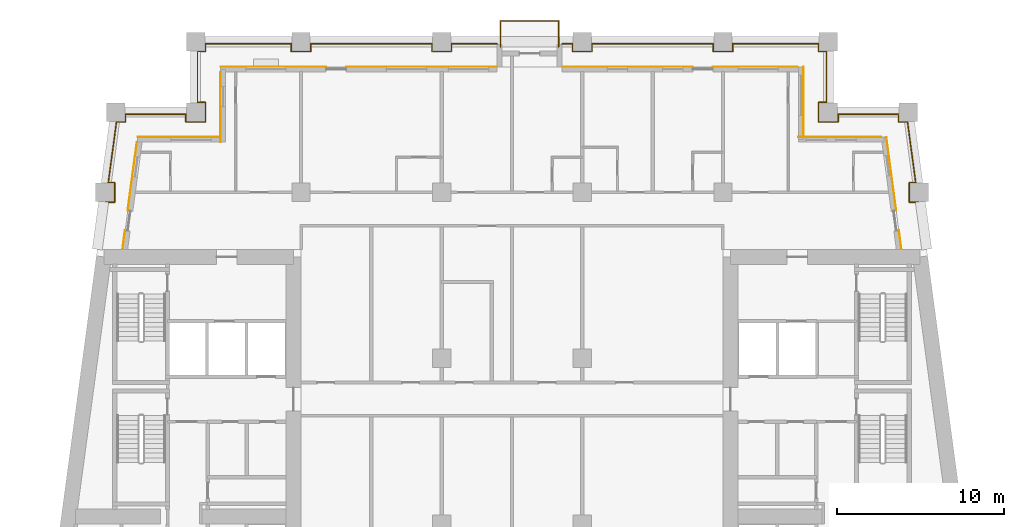
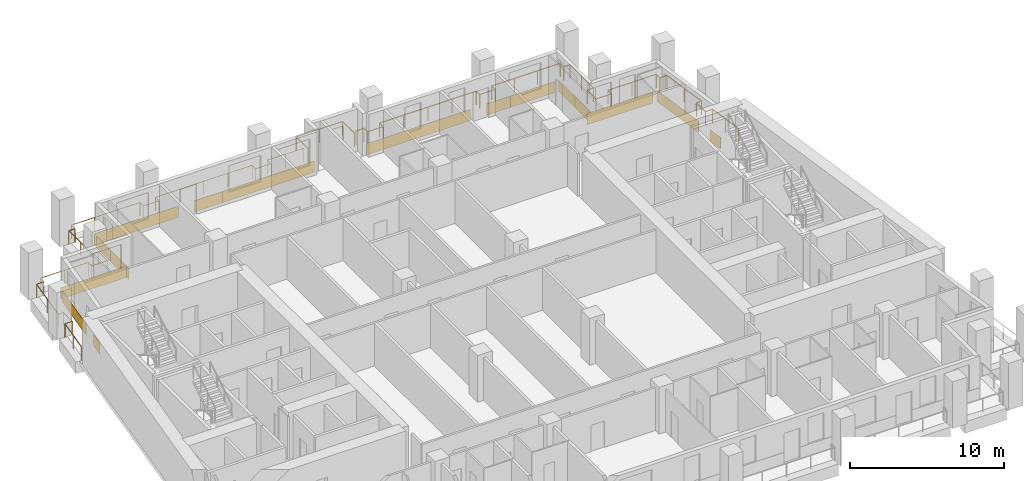
# One storey, part 13 of 14: 16 coverings, 3 railings.
"""IFC4 building model written with IfcOpenShell, lengths in metres."""

from ifc_helpers import new_model, si_unit, direction, frame, origin, origin_2d, place, context, subcontext, project, spatial, rectangle, circle, extrude, material, layer, layer_set, type_object, element, save


model = new_model("IFC4")

# Units and contexts
model_context = context("Model", 3, precision=1e-05, world=origin(), true_north=direction((0.0, 1.0)))
body_context = subcontext(model_context, "Body", "Model", "MODEL_VIEW")
ifc_project = project(units=[si_unit("LENGTHUNIT", "METRE"), si_unit("AREAUNIT", "SQUARE_METRE"), si_unit("VOLUMEUNIT", "CUBIC_METRE"), si_unit("PLANEANGLEUNIT", "RADIAN"), si_unit("MASSUNIT", "GRAM", prefix="KILO")], contexts=[model_context])

# Site, building, storey
site_placement = place(None, origin())
site = spatial("IfcSite", under=ifc_project, at=site_placement, CompositionType="ELEMENT")
building_placement = place(site_placement, origin())
building = spatial("IfcBuilding", under=site, at=building_placement, Name="Candeia Pilgrim Tower and Theatre", CompositionType="ELEMENT")
storey_placement = place(building_placement, frame((0.0, 0.0, 173.699951171875)))
storey = spatial("IfcBuildingStorey", under=building, at=storey_placement, Name="L41", CompositionType="ELEMENT", Elevation=173.699951171875)

# Railings
ifc_material_1 = material(Name="Stainless steel balustrade", Category="steel")
railing_type = type_object("IfcRailingType", Name="G1 loggia guard 1100", PredefinedType="GUARDRAIL", material=ifc_material_1)
railing_1_placement = place(storey_placement, frame((88.758544921875, 132.449951171875, 0.0)))
element("IfcRailing", 1, at=railing_1_placement, inside=storey, type_object=railing_type, Name="Guard L41.2", PredefinedType="GUARDRAIL", context=body_context, shape_type="SweptSolid", body=[
    extrude(circle(Radius=0.02392578125, at=origin_2d()), frame((0.0, 0.0, 1.076171875), z_axis=(0.133382313969, 0.991064659001, 0.0), x_axis=(-0.991064659001, 0.133382313969, 0.0)), (0.0, 0.0, 1.0), 2.794921875),
    extrude(circle(Radius=0.02392578125, at=origin_2d()), frame((0.372802734375, 2.77001953125, 1.076171875), z_axis=(1.0, 0.0, 0.0), x_axis=(0.0, 1.0, 0.0)), (0.0, 0.0, 1.0), 0.537109375),
    extrude(circle(Radius=0.02392578125, at=origin_2d()), frame((0.909912109375, 2.77001953125, 1.076171875), z_axis=(0.0, 1.0, 0.0), x_axis=(-1.0, 0.0, 0.0)), (0.0, 0.0, 1.0), 1.159912109375),
    extrude(circle(Radius=0.02392578125, at=origin_2d()), frame((0.909912109375, 3.929931640625, 1.076171875), z_axis=(-1.0, 0.0, 0.0), x_axis=(0.0, -1.0, 0.0)), (0.0, 0.0, 1.0), 0.380859375),
    extrude(circle(Radius=0.02392578125, at=origin_2d()), frame((0.529052734375, 3.929931640625, 1.076171875), z_axis=(0.133404479078, 0.99106167566, 0.0), x_axis=(-0.99106167566, 0.133404479078, 0.0)), (0.0, 0.0, 1.0), 3.6728515625),
    extrude(circle(Radius=0.02392578125, at=origin_2d()), frame((1.01904296875, 7.570068359375, 1.076171875), z_axis=(1.0, 0.0, 0.0), x_axis=(0.0, 1.0, 0.0)), (0.0, 0.0, 1.0), 0.537109375),
    extrude(circle(Radius=0.02392578125, at=origin_2d()), frame((1.55615234375, 7.570068359375, 1.076171875), z_axis=(0.0, 1.0, 0.0), x_axis=(-1.0, 0.0, 0.0)), (0.0, 0.0, 1.0), 0.4599609375),
    extrude(circle(Radius=0.02392578125, at=origin_2d()), frame((1.55615234375, 8.030029296875, 1.076171875), z_axis=(1.0, 0.0, 0.0), x_axis=(0.0, 1.0, 0.0)), (0.0, 0.0, 1.0), 3.605224609375),
    extrude(circle(Radius=0.02392578125, at=origin_2d()), frame((5.161376953125, 8.030029296875, 1.076171875), z_axis=(0.0, -1.0, 0.0), x_axis=(1.0, 0.0, 0.0)), (0.0, 0.0, 1.0), 0.4599609375),
    extrude(circle(Radius=0.02392578125, at=origin_2d()), frame((5.161376953125, 7.570068359375, 1.076171875), z_axis=(1.0, 0.0, 0.0), x_axis=(0.0, 1.0, 0.0)), (0.0, 0.0, 1.0), 1.16015625),
    extrude(circle(Radius=0.02392578125, at=origin_2d()), frame((6.321533203125, 7.570068359375, 1.076171875), z_axis=(0.0, 1.0, 0.0), x_axis=(-1.0, 0.0, 0.0)), (0.0, 0.0, 1.0), 1.159912109375),
    extrude(circle(Radius=0.02392578125, at=origin_2d()), frame((6.321533203125, 8.72998046875, 1.076171875), z_axis=(-1.0, 0.0, 0.0), x_axis=(0.0, -1.0, 0.0)), (0.0, 0.0, 1.0), 0.4599609375),
    extrude(circle(Radius=0.02392578125, at=origin_2d()), frame((5.861572265625, 8.72998046875, 1.076171875), z_axis=(0.0, 1.0, 0.0), x_axis=(-1.0, 0.0, 0.0)), (0.0, 0.0, 1.0), 3.0400390625),
    extrude(circle(Radius=0.02392578125, at=origin_2d()), frame((5.861572265625, 11.77001953125, 1.076171875), z_axis=(1.0, 0.0, 0.0), x_axis=(0.0, 1.0, 0.0)), (0.0, 0.0, 1.0), 0.4599609375),
    extrude(circle(Radius=0.02392578125, at=origin_2d()), frame((6.321533203125, 11.77001953125, 1.076171875), z_axis=(0.0, 1.0, 0.0), x_axis=(-1.0, 0.0, 0.0)), (0.0, 0.0, 1.0), 0.4599609375),
    extrude(circle(Radius=0.02392578125, at=origin_2d()), frame((6.321533203125, 12.22998046875, 1.076171875), z_axis=(1.0, 0.0, 0.0), x_axis=(0.0, 1.0, 0.0)), (0.0, 0.0, 1.0), 5.139892578125),
    extrude(circle(Radius=0.02392578125, at=origin_2d()), frame((11.46142578125, 12.22998046875, 1.076171875), z_axis=(0.0, -1.0, 0.0), x_axis=(1.0, 0.0, 0.0)), (0.0, 0.0, 1.0), 0.4599609375),
    extrude(circle(Radius=0.02392578125, at=origin_2d()), frame((11.46142578125, 11.77001953125, 1.076171875), z_axis=(1.0, 0.0, 0.0), x_axis=(0.0, 1.0, 0.0)), (0.0, 0.0, 1.0), 1.159912109375),
    extrude(circle(Radius=0.02392578125, at=origin_2d()), frame((12.621337890625, 11.77001953125, 1.076171875), z_axis=(0.0, 1.0, 0.0), x_axis=(-1.0, 0.0, 0.0)), (0.0, 0.0, 1.0), 0.4599609375),
    extrude(circle(Radius=0.02392578125, at=origin_2d()), frame((12.621337890625, 12.22998046875, 1.076171875), z_axis=(1.0, 0.0, 0.0), x_axis=(0.0, 1.0, 0.0)), (0.0, 0.0, 1.0), 7.240234375),
    extrude(circle(Radius=0.02392578125, at=origin_2d()), frame((19.861572265625, 12.22998046875, 1.076171875), z_axis=(0.0, -1.0, 0.0), x_axis=(1.0, 0.0, 0.0)), (0.0, 0.0, 1.0), 0.4599609375),
    extrude(circle(Radius=0.02392578125, at=origin_2d()), frame((19.861572265625, 11.77001953125, 1.076171875), z_axis=(1.0, 0.0, 0.0), x_axis=(0.0, 1.0, 0.0)), (0.0, 0.0, 1.0), 1.159912109375),
    extrude(circle(Radius=0.02392578125, at=origin_2d()), frame((21.021484375, 11.77001953125, 1.076171875), z_axis=(0.0, 1.0, 0.0), x_axis=(-1.0, 0.0, 0.0)), (0.0, 0.0, 1.0), 0.4599609375),
    extrude(circle(Radius=0.02392578125, at=origin_2d()), frame((21.021484375, 12.22998046875, 1.076171875), z_axis=(1.0, 0.0, 0.0), x_axis=(0.0, 1.0, 0.0)), (0.0, 0.0, 1.0), 2.719970703125),
    extrude(circle(Radius=0.02099609375, at=origin_2d()), origin(), (0.0, 0.0, 1.0), 1.052001953125),
    extrude(circle(Radius=0.02099609375, at=origin_2d()), frame((0.1865234375, 1.385009765625, 0.0)), (0.0, 0.0, 1.0), 1.052001953125),
    extrude(circle(Radius=0.02099609375, at=origin_2d()), frame((0.372802734375, 2.77001953125, 0.0)), (0.0, 0.0, 1.0), 1.052001953125),
    extrude(circle(Radius=0.02099609375, at=origin_2d()), frame((0.909912109375, 2.77001953125, 0.0)), (0.0, 0.0, 1.0), 1.052001953125),
    extrude(circle(Radius=0.02099609375, at=origin_2d()), frame((0.909912109375, 3.929931640625, 0.0)), (0.0, 0.0, 1.0), 1.052001953125),
    extrude(circle(Radius=0.02099609375, at=origin_2d()), frame((0.529052734375, 3.929931640625, 0.0)), (0.0, 0.0, 1.0), 1.052001953125),
    extrude(circle(Radius=0.02099609375, at=origin_2d()), frame((0.77392578125, 5.75, 0.0)), (0.0, 0.0, 1.0), 1.052001953125),
    extrude(circle(Radius=0.02099609375, at=origin_2d()), frame((1.01904296875, 7.570068359375, 0.0)), (0.0, 0.0, 1.0), 1.052001953125),
    extrude(circle(Radius=0.02099609375, at=origin_2d()), frame((1.55615234375, 7.570068359375, 0.0)), (0.0, 0.0, 1.0), 1.052001953125),
    extrude(circle(Radius=0.02099609375, at=origin_2d()), frame((1.55615234375, 8.030029296875, 0.0)), (0.0, 0.0, 1.0), 1.052001953125),
    extrude(circle(Radius=0.02099609375, at=origin_2d()), frame((3.35888671875, 8.030029296875, 0.0)), (0.0, 0.0, 1.0), 1.052001953125),
    extrude(circle(Radius=0.02099609375, at=origin_2d()), frame((5.161376953125, 8.030029296875, 0.0)), (0.0, 0.0, 1.0), 1.052001953125),
    extrude(circle(Radius=0.02099609375, at=origin_2d()), frame((5.161376953125, 7.570068359375, 0.0)), (0.0, 0.0, 1.0), 1.052001953125),
    extrude(circle(Radius=0.02099609375, at=origin_2d()), frame((6.321533203125, 7.570068359375, 0.0)), (0.0, 0.0, 1.0), 1.052001953125),
    extrude(circle(Radius=0.02099609375, at=origin_2d()), frame((6.321533203125, 8.72998046875, 0.0)), (0.0, 0.0, 1.0), 1.052001953125),
    extrude(circle(Radius=0.02099609375, at=origin_2d()), frame((5.861572265625, 8.72998046875, 0.0)), (0.0, 0.0, 1.0), 1.052001953125),
    extrude(circle(Radius=0.02099609375, at=origin_2d()), frame((5.861572265625, 10.25, 0.0)), (0.0, 0.0, 1.0), 1.052001953125),
    extrude(circle(Radius=0.02099609375, at=origin_2d()), frame((5.861572265625, 11.77001953125, 0.0)), (0.0, 0.0, 1.0), 1.052001953125),
    extrude(circle(Radius=0.02099609375, at=origin_2d()), frame((6.321533203125, 11.77001953125, 0.0)), (0.0, 0.0, 1.0), 1.052001953125),
    extrude(circle(Radius=0.02099609375, at=origin_2d()), frame((6.321533203125, 12.22998046875, 0.0)), (0.0, 0.0, 1.0), 1.052001953125),
    extrude(circle(Radius=0.02099609375, at=origin_2d()), frame((8.034912109375, 12.22998046875, 0.0)), (0.0, 0.0, 1.0), 1.052001953125),
    extrude(circle(Radius=0.02099609375, at=origin_2d()), frame((9.748046875, 12.22998046875, 0.0)), (0.0, 0.0, 1.0), 1.052001953125),
    extrude(circle(Radius=0.02099609375, at=origin_2d()), frame((11.46142578125, 12.22998046875, 0.0)), (0.0, 0.0, 1.0), 1.052001953125),
    extrude(circle(Radius=0.02099609375, at=origin_2d()), frame((11.46142578125, 11.77001953125, 0.0)), (0.0, 0.0, 1.0), 1.052001953125),
    extrude(circle(Radius=0.02099609375, at=origin_2d()), frame((12.621337890625, 11.77001953125, 0.0)), (0.0, 0.0, 1.0), 1.052001953125),
    extrude(circle(Radius=0.02099609375, at=origin_2d()), frame((12.621337890625, 12.22998046875, 0.0)), (0.0, 0.0, 1.0), 1.052001953125),
    extrude(circle(Radius=0.02099609375, at=origin_2d()), frame((14.431396484375, 12.22998046875, 0.0)), (0.0, 0.0, 1.0), 1.052001953125),
    extrude(circle(Radius=0.02099609375, at=origin_2d()), frame((16.241455078125, 12.22998046875, 0.0)), (0.0, 0.0, 1.0), 1.052001953125),
    extrude(circle(Radius=0.02099609375, at=origin_2d()), frame((18.051513671875, 12.22998046875, 0.0)), (0.0, 0.0, 1.0), 1.052001953125),
    extrude(circle(Radius=0.02099609375, at=origin_2d()), frame((19.861572265625, 12.22998046875, 0.0)), (0.0, 0.0, 1.0), 1.052001953125),
    extrude(circle(Radius=0.02099609375, at=origin_2d()), frame((19.861572265625, 11.77001953125, 0.0)), (0.0, 0.0, 1.0), 1.052001953125),
    extrude(circle(Radius=0.02099609375, at=origin_2d()), frame((21.021484375, 11.77001953125, 0.0)), (0.0, 0.0, 1.0), 1.052001953125),
    extrude(circle(Radius=0.02099609375, at=origin_2d()), frame((21.021484375, 12.22998046875, 0.0)), (0.0, 0.0, 1.0), 1.052001953125),
    extrude(circle(Radius=0.02099609375, at=origin_2d()), frame((22.38134765625, 12.22998046875, 0.0)), (0.0, 0.0, 1.0), 1.052001953125),
    extrude(circle(Radius=0.02099609375, at=origin_2d()), frame((23.741455078125, 12.22998046875, 0.0)), (0.0, 0.0, 1.0), 1.052001953125),
])
railing_2_placement = place(storey_placement, frame((116.39990234375, 144.679931640625, 0.0)))
element("IfcRailing", 2, at=railing_2_placement, inside=storey, type_object=railing_type, Name="Guard L41.3", PredefinedType="GUARDRAIL", context=body_context, shape_type="SweptSolid", body=[
    extrude(circle(Radius=0.02392578125, at=origin_2d()), frame((0.0, 0.0, 1.076171875), z_axis=(1.0, 0.0, 0.0), x_axis=(0.0, 1.0, 0.0)), (0.0, 0.0, 1.0), 0.6201171875),
    extrude(circle(Radius=0.02392578125, at=origin_2d()), frame((0.6201171875, 0.0, 1.076171875), z_axis=(0.0, -1.0, 0.0), x_axis=(1.0, 0.0, 0.0)), (0.0, 0.0, 1.0), 0.4599609375),
    extrude(circle(Radius=0.02392578125, at=origin_2d()), frame((0.6201171875, -0.4599609375, 1.076171875), z_axis=(1.0, 0.0, 0.0), x_axis=(0.0, 1.0, 0.0)), (0.0, 0.0, 1.0), 1.159912109375),
    extrude(circle(Radius=0.02392578125, at=origin_2d()), frame((1.780029296875, -0.4599609375, 1.076171875), z_axis=(0.0, 1.0, 0.0), x_axis=(-1.0, 0.0, 0.0)), (0.0, 0.0, 1.0), 0.4599609375),
    extrude(circle(Radius=0.02392578125, at=origin_2d()), frame((1.780029296875, 0.0, 1.076171875), z_axis=(1.0, 0.0, 0.0), x_axis=(0.0, 1.0, 0.0)), (0.0, 0.0, 1.0), 7.239990234375),
    extrude(circle(Radius=0.02392578125, at=origin_2d()), frame((9.02001953125, 0.0, 1.076171875), z_axis=(0.0, -1.0, 0.0), x_axis=(1.0, 0.0, 0.0)), (0.0, 0.0, 1.0), 0.4599609375),
    extrude(circle(Radius=0.02392578125, at=origin_2d()), frame((9.02001953125, -0.4599609375, 1.076171875), z_axis=(1.0, 0.0, 0.0), x_axis=(0.0, 1.0, 0.0)), (0.0, 0.0, 1.0), 1.16015625),
    extrude(circle(Radius=0.02392578125, at=origin_2d()), frame((10.18017578125, -0.4599609375, 1.076171875), z_axis=(0.0, 1.0, 0.0), x_axis=(-1.0, 0.0, 0.0)), (0.0, 0.0, 1.0), 0.4599609375),
    extrude(circle(Radius=0.02392578125, at=origin_2d()), frame((10.18017578125, 0.0, 1.076171875), z_axis=(1.0, 0.0, 0.0), x_axis=(0.0, 1.0, 0.0)), (0.0, 0.0, 1.0), 5.139892578125),
    extrude(circle(Radius=0.02392578125, at=origin_2d()), frame((15.320068359375, 0.0, 1.076171875), z_axis=(0.0, -1.0, 0.0), x_axis=(1.0, 0.0, 0.0)), (0.0, 0.0, 1.0), 0.4599609375),
    extrude(circle(Radius=0.02392578125, at=origin_2d()), frame((15.320068359375, -0.4599609375, 1.076171875), z_axis=(1.0, 0.0, 0.0), x_axis=(0.0, 1.0, 0.0)), (0.0, 0.0, 1.0), 0.4599609375),
    extrude(circle(Radius=0.02392578125, at=origin_2d()), frame((15.780029296875, -0.4599609375, 1.076171875), z_axis=(0.0, -1.0, 0.0), x_axis=(1.0, 0.0, 0.0)), (0.0, 0.0, 1.0), 3.0400390625),
    extrude(circle(Radius=0.02392578125, at=origin_2d()), frame((15.780029296875, -3.5, 1.076171875), z_axis=(-1.0, 0.0, 0.0), x_axis=(0.0, -1.0, 0.0)), (0.0, 0.0, 1.0), 0.4599609375),
    extrude(circle(Radius=0.02392578125, at=origin_2d()), frame((15.320068359375, -3.5, 1.076171875), z_axis=(0.0, -1.0, 0.0), x_axis=(1.0, 0.0, 0.0)), (0.0, 0.0, 1.0), 1.159912109375),
    extrude(circle(Radius=0.02392578125, at=origin_2d()), frame((15.320068359375, -4.659912109375, 1.076171875), z_axis=(1.0, 0.0, 0.0), x_axis=(0.0, 1.0, 0.0)), (0.0, 0.0, 1.0), 1.159912109375),
    extrude(circle(Radius=0.02392578125, at=origin_2d()), frame((16.47998046875, -4.659912109375, 1.076171875), z_axis=(0.0, 1.0, 0.0), x_axis=(-1.0, 0.0, 0.0)), (0.0, 0.0, 1.0), 0.4599609375),
    extrude(circle(Radius=0.02392578125, at=origin_2d()), frame((16.47998046875, -4.199951171875, 1.076171875), z_axis=(1.0, 0.0, 0.0), x_axis=(0.0, 1.0, 0.0)), (0.0, 0.0, 1.0), 3.60546875),
    extrude(circle(Radius=0.02392578125, at=origin_2d()), frame((20.08544921875, -4.199951171875, 1.076171875), z_axis=(0.0, -1.0, 0.0), x_axis=(1.0, 0.0, 0.0)), (0.0, 0.0, 1.0), 0.4599609375),
    extrude(circle(Radius=0.02392578125, at=origin_2d()), frame((20.08544921875, -4.659912109375, 1.076171875), z_axis=(1.0, 0.0, 0.0), x_axis=(0.0, 1.0, 0.0)), (0.0, 0.0, 1.0), 0.537109375),
    extrude(circle(Radius=0.02392578125, at=origin_2d()), frame((20.62255859375, -4.659912109375, 1.076171875), z_axis=(0.133404479078, -0.99106167566, 0.0), x_axis=(0.99106167566, 0.133404479078, 0.0)), (0.0, 0.0, 1.0), 3.6728515625),
    extrude(circle(Radius=0.02392578125, at=origin_2d()), frame((21.112548828125, -8.300048828125, 1.076171875), z_axis=(-1.0, 0.0, 0.0), x_axis=(0.0, -1.0, 0.0)), (0.0, 0.0, 1.0), 0.380859375),
    extrude(circle(Radius=0.02392578125, at=origin_2d()), frame((20.731689453125, -8.300048828125, 1.076171875), z_axis=(0.0, -1.0, 0.0), x_axis=(1.0, 0.0, 0.0)), (0.0, 0.0, 1.0), 1.159912109375),
    extrude(circle(Radius=0.02392578125, at=origin_2d()), frame((20.731689453125, -9.4599609375, 1.076171875), z_axis=(1.0, 0.0, 0.0), x_axis=(0.0, 1.0, 0.0)), (0.0, 0.0, 1.0), 0.536865234375),
    extrude(circle(Radius=0.02392578125, at=origin_2d()), frame((21.2685546875, -9.4599609375, 1.076171875), z_axis=(0.133468107709, -0.99105310868, 0.0), x_axis=(0.99105310868, 0.133468107709, 0.0)), (0.0, 0.0, 1.0), 2.794921875),
    extrude(circle(Radius=0.02099609375, at=origin_2d()), origin(), (0.0, 0.0, 1.0), 1.052001953125),
    extrude(circle(Radius=0.02099609375, at=origin_2d()), frame((0.6201171875, 0.0, 0.0)), (0.0, 0.0, 1.0), 1.052001953125),
    extrude(circle(Radius=0.02099609375, at=origin_2d()), frame((0.6201171875, -0.4599609375, 0.0)), (0.0, 0.0, 1.0), 1.052001953125),
    extrude(circle(Radius=0.02099609375, at=origin_2d()), frame((1.780029296875, -0.4599609375, 0.0)), (0.0, 0.0, 1.0), 1.052001953125),
    extrude(circle(Radius=0.02099609375, at=origin_2d()), frame((1.780029296875, 0.0, 0.0)), (0.0, 0.0, 1.0), 1.052001953125),
    extrude(circle(Radius=0.02099609375, at=origin_2d()), frame((3.590087890625, 0.0, 0.0)), (0.0, 0.0, 1.0), 1.052001953125),
    extrude(circle(Radius=0.02099609375, at=origin_2d()), frame((5.39990234375, 0.0, 0.0)), (0.0, 0.0, 1.0), 1.052001953125),
    extrude(circle(Radius=0.02099609375, at=origin_2d()), frame((7.2099609375, 0.0, 0.0)), (0.0, 0.0, 1.0), 1.052001953125),
    extrude(circle(Radius=0.02099609375, at=origin_2d()), frame((9.02001953125, 0.0, 0.0)), (0.0, 0.0, 1.0), 1.052001953125),
    extrude(circle(Radius=0.02099609375, at=origin_2d()), frame((9.02001953125, -0.4599609375, 0.0)), (0.0, 0.0, 1.0), 1.052001953125),
    extrude(circle(Radius=0.02099609375, at=origin_2d()), frame((10.18017578125, -0.4599609375, 0.0)), (0.0, 0.0, 1.0), 1.052001953125),
    extrude(circle(Radius=0.02099609375, at=origin_2d()), frame((10.18017578125, 0.0, 0.0)), (0.0, 0.0, 1.0), 1.052001953125),
    extrude(circle(Radius=0.02099609375, at=origin_2d()), frame((11.8935546875, 0.0, 0.0)), (0.0, 0.0, 1.0), 1.052001953125),
    extrude(circle(Radius=0.02099609375, at=origin_2d()), frame((13.606689453125, 0.0, 0.0)), (0.0, 0.0, 1.0), 1.052001953125),
    extrude(circle(Radius=0.02099609375, at=origin_2d()), frame((15.320068359375, 0.0, 0.0)), (0.0, 0.0, 1.0), 1.052001953125),
    extrude(circle(Radius=0.02099609375, at=origin_2d()), frame((15.320068359375, -0.4599609375, 0.0)), (0.0, 0.0, 1.0), 1.052001953125),
    extrude(circle(Radius=0.02099609375, at=origin_2d()), frame((15.780029296875, -0.4599609375, 0.0)), (0.0, 0.0, 1.0), 1.052001953125),
    extrude(circle(Radius=0.02099609375, at=origin_2d()), frame((15.780029296875, -1.97998046875, 0.0)), (0.0, 0.0, 1.0), 1.052001953125),
    extrude(circle(Radius=0.02099609375, at=origin_2d()), frame((15.780029296875, -3.5, 0.0)), (0.0, 0.0, 1.0), 1.052001953125),
    extrude(circle(Radius=0.02099609375, at=origin_2d()), frame((15.320068359375, -3.5, 0.0)), (0.0, 0.0, 1.0), 1.052001953125),
    extrude(circle(Radius=0.02099609375, at=origin_2d()), frame((15.320068359375, -4.659912109375, 0.0)), (0.0, 0.0, 1.0), 1.052001953125),
    extrude(circle(Radius=0.02099609375, at=origin_2d()), frame((16.47998046875, -4.659912109375, 0.0)), (0.0, 0.0, 1.0), 1.052001953125),
    extrude(circle(Radius=0.02099609375, at=origin_2d()), frame((16.47998046875, -4.199951171875, 0.0)), (0.0, 0.0, 1.0), 1.052001953125),
    extrude(circle(Radius=0.02099609375, at=origin_2d()), frame((18.28271484375, -4.199951171875, 0.0)), (0.0, 0.0, 1.0), 1.052001953125),
    extrude(circle(Radius=0.02099609375, at=origin_2d()), frame((20.08544921875, -4.199951171875, 0.0)), (0.0, 0.0, 1.0), 1.052001953125),
    extrude(circle(Radius=0.02099609375, at=origin_2d()), frame((20.08544921875, -4.659912109375, 0.0)), (0.0, 0.0, 1.0), 1.052001953125),
    extrude(circle(Radius=0.02099609375, at=origin_2d()), frame((20.62255859375, -4.659912109375, 0.0)), (0.0, 0.0, 1.0), 1.052001953125),
    extrude(circle(Radius=0.02099609375, at=origin_2d()), frame((20.86767578125, -6.47998046875, 0.0)), (0.0, 0.0, 1.0), 1.052001953125),
    extrude(circle(Radius=0.02099609375, at=origin_2d()), frame((21.112548828125, -8.300048828125, 0.0)), (0.0, 0.0, 1.0), 1.052001953125),
    extrude(circle(Radius=0.02099609375, at=origin_2d()), frame((20.731689453125, -8.300048828125, 0.0)), (0.0, 0.0, 1.0), 1.052001953125),
    extrude(circle(Radius=0.02099609375, at=origin_2d()), frame((20.731689453125, -9.4599609375, 0.0)), (0.0, 0.0, 1.0), 1.052001953125),
    extrude(circle(Radius=0.02099609375, at=origin_2d()), frame((21.2685546875, -9.4599609375, 0.0)), (0.0, 0.0, 1.0), 1.052001953125),
    extrude(circle(Radius=0.02099609375, at=origin_2d()), frame((21.455078125, -10.844970703125, 0.0)), (0.0, 0.0, 1.0), 1.052001953125),
    extrude(circle(Radius=0.02099609375, at=origin_2d()), frame((21.6416015625, -12.22998046875, 0.0)), (0.0, 0.0, 1.0), 1.052001953125),
])
railing_3_placement = place(storey_placement, frame((112.7099609375, 144.5, 0.0)))
element("IfcRailing", 3, at=railing_3_placement, inside=storey, type_object=railing_type, Name="Balcony guard L41", PredefinedType="GUARDRAIL", context=body_context, shape_type="SweptSolid", body=[
    extrude(circle(Radius=0.02392578125, at=origin_2d()), frame((0.0, 0.0, 1.076171875), z_axis=(0.0, 1.0, 0.0), x_axis=(-1.0, 0.0, 0.0)), (0.0, 0.0, 1.0), 1.5400390625),
    extrude(circle(Radius=0.02392578125, at=origin_2d()), frame((0.0, 1.5400390625, 1.076171875), z_axis=(1.0, 0.0, 0.0), x_axis=(0.0, 1.0, 0.0)), (0.0, 0.0, 1.0), 3.47998046875),
    extrude(circle(Radius=0.02392578125, at=origin_2d()), frame((3.47998046875, 1.5400390625, 1.076171875), z_axis=(0.0, -1.0, 0.0), x_axis=(1.0, 0.0, 0.0)), (0.0, 0.0, 1.0), 1.5400390625),
    extrude(circle(Radius=0.02099609375, at=origin_2d()), origin(), (0.0, 0.0, 1.0), 1.052001953125),
    extrude(circle(Radius=0.02099609375, at=origin_2d()), frame((0.0, 1.5400390625, 0.0)), (0.0, 0.0, 1.0), 1.052001953125),
    extrude(circle(Radius=0.02099609375, at=origin_2d()), frame((1.739990234375, 1.5400390625, 0.0)), (0.0, 0.0, 1.0), 1.052001953125),
    extrude(circle(Radius=0.02099609375, at=origin_2d()), frame((3.47998046875, 1.5400390625, 0.0)), (0.0, 0.0, 1.0), 1.052001953125),
    extrude(circle(Radius=0.02099609375, at=origin_2d()), frame((3.47998046875, 0.0, 0.0)), (0.0, 0.0, 1.0), 1.052001953125),
])

# Coverings
ifc_material_2 = material(Name="Glazed ceramic tile red")
ifc_layer_1 = layer(ifc_material_2, 0.02001953125)
ifc_layer_set_1 = layer_set([ifc_layer_1], Name="Glazed ceramic tile red")
covering_type_1 = type_object("IfcCoveringType", Name="Glazed ceramic tile red", PredefinedType="CLADDING", material=ifc_layer_set_1)
covering_1_placement = place(storey_placement, frame((136.588623046875, 132.97412109375, 0.0), z_axis=(0.0, 0.0, 1.0), x_axis=(-0.133412012145, 0.991060661622, 0.0)))
element("IfcCovering", 4, at=covering_1_placement, inside=storey, type_object=covering_type_1, Name="Tile cladding red L41", PredefinedType="CLADDING", context=body_context, shape_type="SweptSolid", body=[
    extrude(rectangle(XDim=1.115234375, YDim=0.02001953125, at=origin_2d()), origin(), (0.0, 0.0, 1.0), 0.89990234375),
])
covering_2_placement = place(storey_placement, frame((136.058837890625, 136.90869140625, 0.0), z_axis=(0.0, 0.0, 1.0), x_axis=(-0.133412012145, 0.991060661622, 0.0)))
element("IfcCovering", 5, at=covering_2_placement, inside=storey, type_object=covering_type_1, Name="Tile cladding red L41", PredefinedType="CLADDING", context=body_context, shape_type="SweptSolid", body=[
    extrude(rectangle(XDim=4.4248046875, YDim=0.02001953125, at=origin_2d()), origin(), (0.0, 0.0, 1.0), 0.89990234375),
])
covering_3_placement = place(storey_placement, frame((130.81005859375, 140.159912109375, 0.0), z_axis=(0.0, 0.0, 1.0), x_axis=(0.0, 1.0, 0.0)))
element("IfcCovering", 6, at=covering_3_placement, inside=storey, type_object=covering_type_1, Name="Tile cladding red L41", PredefinedType="CLADDING", context=body_context, shape_type="SweptSolid", body=[
    extrude(rectangle(XDim=2.080078125, YDim=0.02001953125, at=origin_2d()), origin(), (0.0, 0.0, 1.0), 0.89990234375),
])
covering_4_placement = place(storey_placement, frame((126.300048828125, 143.31005859375, 0.0), z_axis=(0.0, 0.0, 1.0), x_axis=(-1.0, 0.0, 0.0)))
element("IfcCovering", 7, at=covering_4_placement, inside=storey, type_object=covering_type_1, Name="Tile cladding red L41", PredefinedType="CLADDING", context=body_context, shape_type="SweptSolid", body=[
    extrude(rectangle(XDim=1.800048828125, YDim=0.02001953125, at=origin_2d()), origin(), (0.0, 0.0, 1.0), 0.89990234375),
])
covering_5_placement = place(storey_placement, frame((120.300048828125, 143.31005859375, 0.0), z_axis=(0.0, 0.0, 1.0), x_axis=(-1.0, 0.0, 0.0)))
element("IfcCovering", 8, at=covering_5_placement, inside=storey, type_object=covering_type_1, Name="Tile cladding red L41", PredefinedType="CLADDING", context=body_context, shape_type="SweptSolid", body=[
    extrude(rectangle(XDim=7.800048828125, YDim=0.02001953125, at=origin_2d()), origin(), (0.0, 0.0, 1.0), 0.89990234375),
])
covering_6_placement = place(storey_placement, frame((109.050048828125, 143.31005859375, 0.0), z_axis=(0.0, 0.0, 1.0), x_axis=(-1.0, 0.0, 0.0)))
element("IfcCovering", 9, at=covering_6_placement, inside=storey, type_object=covering_type_1, Name="Tile cladding red L41", PredefinedType="CLADDING", context=body_context, shape_type="SweptSolid", body=[
    extrude(rectangle(XDim=6.89990234375, YDim=0.02001953125, at=origin_2d()), origin(), (0.0, 0.0, 1.0), 0.89990234375),
])
covering_7_placement = place(storey_placement, frame((95.989990234375, 140.0, 0.0), z_axis=(0.0, 0.0, 1.0), x_axis=(0.0, -1.0, 0.0)))
element("IfcCovering", 10, at=covering_7_placement, inside=storey, type_object=covering_type_1, Name="Tile cladding red L41", PredefinedType="CLADDING", context=body_context, shape_type="SweptSolid", body=[
    extrude(rectangle(XDim=2.39990234375, YDim=0.02001953125, at=origin_2d()), origin(), (0.0, 0.0, 1.0), 0.89990234375),
])
covering_8_placement = place(storey_placement, frame((90.720947265625, 136.759521484375, 0.0), z_axis=(0.0, 0.0, 1.0), x_axis=(-0.133412012145, -0.991060661622, 0.0)))
element("IfcCovering", 11, at=covering_8_placement, inside=storey, type_object=covering_type_1, Name="Tile cladding red L41", PredefinedType="CLADDING", context=body_context, shape_type="SweptSolid", body=[
    extrude(rectangle(XDim=4.123779296875, YDim=0.02001953125, at=origin_2d()), origin(), (0.0, 0.0, 1.0), 0.89990234375),
])
covering_9_placement = place(storey_placement, frame((90.21142578125, 132.97412109375, 0.0), z_axis=(0.0, 0.0, 1.0), x_axis=(-0.133412012145, -0.991060661622, 0.0)))
element("IfcCovering", 12, at=covering_9_placement, inside=storey, type_object=covering_type_1, Name="Tile cladding red L41", PredefinedType="CLADDING", context=body_context, shape_type="SweptSolid", body=[
    extrude(rectangle(XDim=1.115234375, YDim=0.02001953125, at=origin_2d()), origin(), (0.0, 0.0, 1.0), 0.89990234375),
])
ifc_material_3 = material(Name="Glazed ceramic tile rust")
ifc_layer_2 = layer(ifc_material_3, 0.02001953125)
ifc_layer_set_2 = layer_set([ifc_layer_2], Name="Glazed ceramic tile rust")
covering_type_2 = type_object("IfcCoveringType", Name="Glazed ceramic tile rust", PredefinedType="CLADDING", material=ifc_layer_set_2)
covering_10_placement = place(storey_placement, frame((132.976318359375, 139.110107421875, 0.0), z_axis=(0.0, 0.0, 1.0), x_axis=(-1.0, 0.0, 0.0)))
element("IfcCovering", 13, at=covering_10_placement, inside=storey, type_object=covering_type_2, Name="Tile cladding rust L41", PredefinedType="CLADDING", context=body_context, shape_type="SweptSolid", body=[
    extrude(rectangle(XDim=4.95263671875, YDim=0.02001953125, at=origin_2d()), origin(), (0.0, 0.0, 1.0), 0.89990234375),
])
covering_11_placement = place(storey_placement, frame((130.81005859375, 142.25, 0.0), z_axis=(0.0, 0.0, 1.0), x_axis=(0.0, 1.0, 0.0)))
element("IfcCovering", 14, at=covering_11_placement, inside=storey, type_object=covering_type_2, Name="Tile cladding rust L41", PredefinedType="CLADDING", context=body_context, shape_type="SweptSolid", body=[
    extrude(rectangle(XDim=2.10009765625, YDim=0.02001953125, at=origin_2d()), origin(), (0.0, 0.0, 1.0), 0.89990234375),
])
covering_12_placement = place(storey_placement, frame((128.840087890625, 143.31005859375, 0.0), z_axis=(0.0, 0.0, 1.0), x_axis=(-1.0, 0.0, 0.0)))
element("IfcCovering", 15, at=covering_12_placement, inside=storey, type_object=covering_type_2, Name="Tile cladding rust L41", PredefinedType="CLADDING", context=body_context, shape_type="SweptSolid", body=[
    extrude(rectangle(XDim=3.280029296875, YDim=0.02001953125, at=origin_2d()), origin(), (0.0, 0.0, 1.0), 0.89990234375),
])
covering_13_placement = place(storey_placement, frame((104.550048828125, 143.31005859375, 0.0), z_axis=(0.0, 0.0, 1.0), x_axis=(-1.0, 0.0, 0.0)))
element("IfcCovering", 16, at=covering_13_placement, inside=storey, type_object=covering_type_2, Name="Tile cladding rust L41", PredefinedType="CLADDING", context=body_context, shape_type="SweptSolid", body=[
    extrude(rectangle(XDim=2.10009765625, YDim=0.02001953125, at=origin_2d()), origin(), (0.0, 0.0, 1.0), 0.89990234375),
])
covering_14_placement = place(storey_placement, frame((99.14990234375, 143.31005859375, 0.0), z_axis=(0.0, 0.0, 1.0), x_axis=(-1.0, 0.0, 0.0)))
element("IfcCovering", 17, at=covering_14_placement, inside=storey, type_object=covering_type_2, Name="Tile cladding rust L41", PredefinedType="CLADDING", context=body_context, shape_type="SweptSolid", body=[
    extrude(rectangle(XDim=6.300048828125, YDim=0.02001953125, at=origin_2d()), origin(), (0.0, 0.0, 1.0), 0.89990234375),
])
covering_15_placement = place(storey_placement, frame((95.989990234375, 142.090087890625, 0.0), z_axis=(0.0, 0.0, 1.0), x_axis=(0.0, -1.0, 0.0)))
element("IfcCovering", 18, at=covering_15_placement, inside=storey, type_object=covering_type_2, Name="Tile cladding rust L41", PredefinedType="CLADDING", context=body_context, shape_type="SweptSolid", body=[
    extrude(rectangle(XDim=1.780029296875, YDim=0.02001953125, at=origin_2d()), origin(), (0.0, 0.0, 1.0), 0.89990234375),
])
covering_16_placement = place(storey_placement, frame((93.51318359375, 139.110107421875, 0.0), z_axis=(0.0, 0.0, 1.0), x_axis=(-1.0, 0.0, 0.0)))
element("IfcCovering", 19, at=covering_16_placement, inside=storey, type_object=covering_type_2, Name="Tile cladding rust L41", PredefinedType="CLADDING", context=body_context, shape_type="SweptSolid", body=[
    extrude(rectangle(XDim=4.933837890625, YDim=0.02001953125, at=origin_2d()), origin(), (0.0, 0.0, 1.0), 0.89990234375),
])

save(model, "model.ifc")
